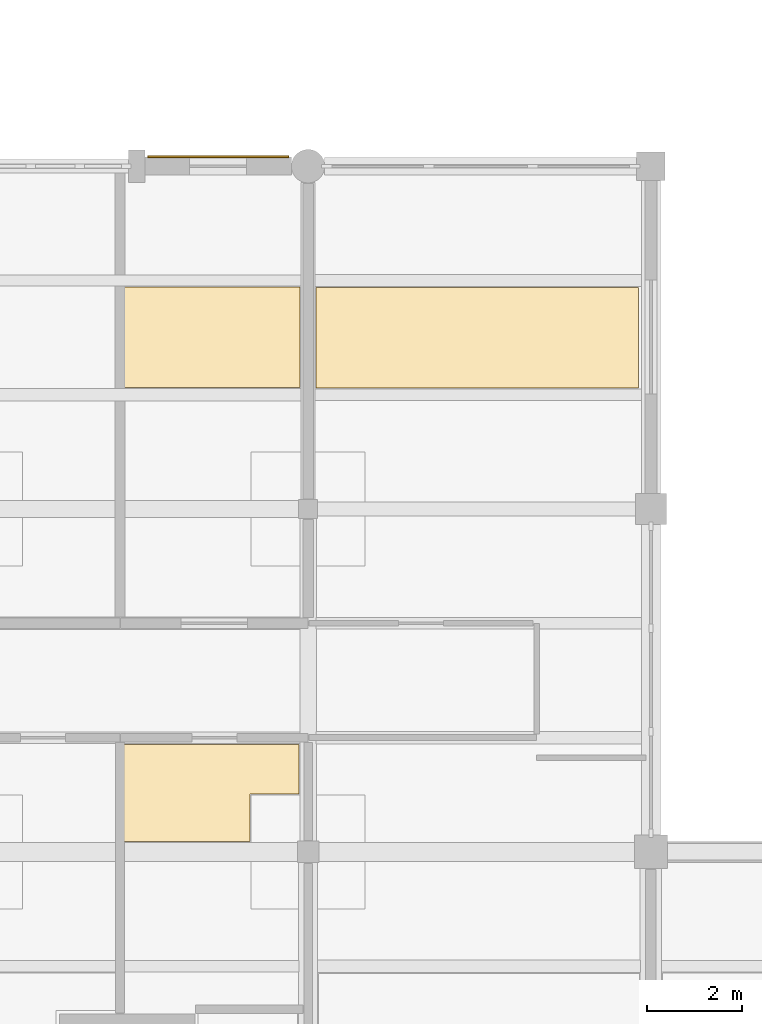
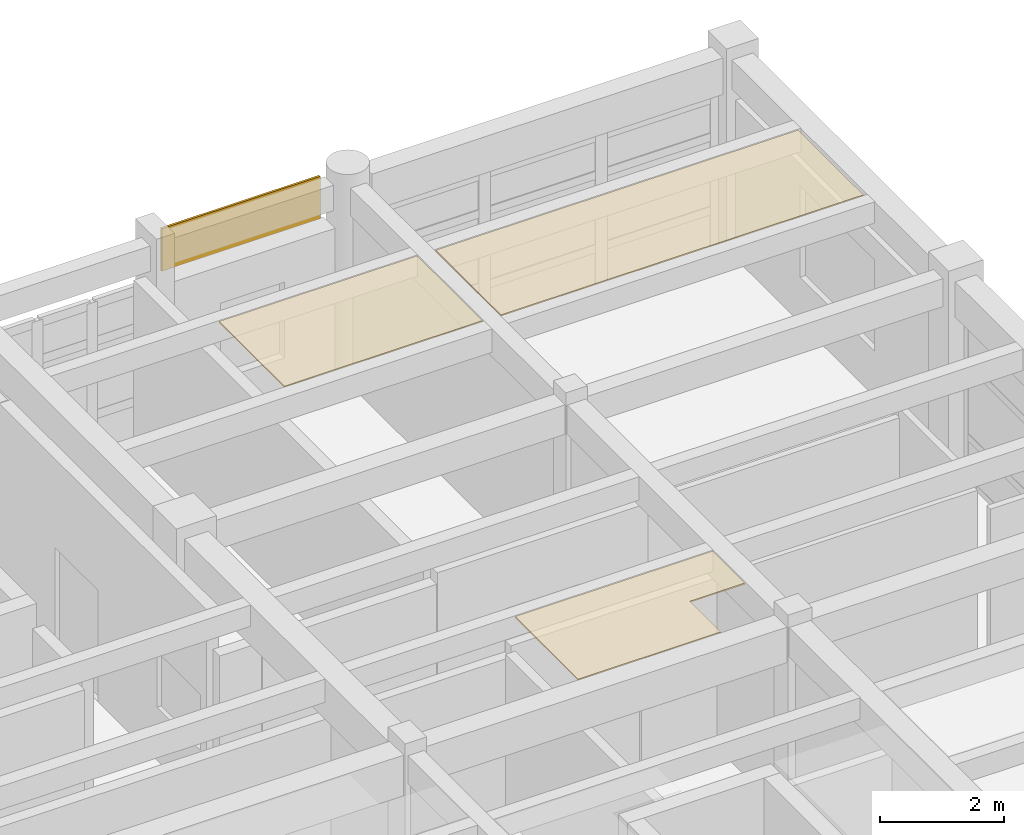
# One storey, part 110 of 110: 4 coverings.
"""IFC4 building model written with IfcOpenShell, lengths in metres."""

from ifc_helpers import new_model, si_unit, direction, frame, origin, origin_2d, place, context, subcontext, project, spatial, polyline, rectangle, outline, extrude, material, layer, layer_set, type_object, element, save


model = new_model("IFC4")

# Units and contexts
model_context = context("Model", 3, precision=1e-05, world=origin(), true_north=direction((0.0, 1.0)))
body_context = subcontext(model_context, "Body", "Model", "MODEL_VIEW")
ifc_project = project(units=[si_unit("LENGTHUNIT", "METRE"), si_unit("AREAUNIT", "SQUARE_METRE"), si_unit("VOLUMEUNIT", "CUBIC_METRE"), si_unit("PLANEANGLEUNIT", "RADIAN"), si_unit("MASSUNIT", "GRAM", prefix="KILO")], contexts=[model_context])

# Site, building, storey
site_placement = place(None, origin())
site = spatial("IfcSite", under=ifc_project, at=site_placement, CompositionType="ELEMENT")
building_placement = place(site_placement, origin())
building = spatial("IfcBuilding", under=site, at=building_placement, Name="Steenspoor Specialist Clinic", CompositionType="ELEMENT")
storey_placement = place(building_placement, frame((0.0, 0.0, 4.800048828125)))
storey = spatial("IfcBuildingStorey", under=building, at=storey_placement, Name="L01", CompositionType="ELEMENT", Elevation=4.800048828125)

# Coverings
ifc_material_1 = material(Name="Washable acoustic mineral ceiling board", Category="gypsum")
ifc_layer_1 = layer(ifc_material_1, 0.02490234375)
ifc_layer_set_1 = layer_set([ifc_layer_1], Name="Washable acoustic mineral ceiling board")
covering_type_1 = type_object("IfcCoveringType", Name="COV-CEIL-ACOUSTIC", PredefinedType="CEILING", material=ifc_layer_set_1)
covering_1_placement = place(storey_placement, frame((0.0, 0.0, 3.925048828125)))
element("IfcCovering", 1, at=covering_1_placement, inside=storey, type_object=covering_type_1, Name="Acoustic Clinical Ceiling 133", PredefinedType="CEILING", context=body_context, shape_type="SweptSolid", body=[
    extrude(outline(polyline([(135.715087890625, 96.2099609375), (139.405029296875, 96.2099609375), (139.405029296875, 95.169921875), (138.3798828125, 95.169921875), (138.3798828125, 94.169921875), (135.715087890625, 94.169921875), (135.715087890625, 96.2099609375)])), origin(), (0.0, 0.0, 1.0), 0.02490234375),
])
covering_2_placement = place(storey_placement, frame((0.0, 0.0, 3.925048828125)))
element("IfcCovering", 2, at=covering_2_placement, inside=storey, type_object=covering_type_1, Name="Acoustic Clinical Ceiling 134", PredefinedType="CEILING", context=body_context, shape_type="SweptSolid", body=[
    extrude(outline(polyline([(146.5400390625, 103.68994140625), (139.77001953125, 103.68994140625), (139.77001953125, 105.800048828125), (146.5400390625, 105.800048828125), (146.5400390625, 103.68994140625)])), origin(), (0.0, 0.0, 1.0), 0.02490234375),
])
covering_3_placement = place(storey_placement, frame((0.0, 0.0, 3.925048828125)))
element("IfcCovering", 3, at=covering_3_placement, inside=storey, type_object=covering_type_1, Name="Acoustic Clinical Ceiling 135", PredefinedType="CEILING", context=body_context, shape_type="SweptSolid", body=[
    extrude(outline(polyline([(135.72998046875, 105.81005859375), (139.429931640625, 105.81005859375), (139.429931640625, 103.699951171875), (135.72998046875, 103.699951171875), (135.72998046875, 105.81005859375)])), origin(), (0.0, 0.0, 1.0), 0.02490234375),
])
ifc_material_2 = material(Name="Glazed ceramic relief spandrel cladding", Category="masonry")
ifc_layer_2 = layer(ifc_material_2, 0.034912109375)
ifc_layer_set_2 = layer_set([ifc_layer_2], Name="Glazed ceramic relief spandrel cladding")
covering_type_2 = type_object("IfcCoveringType", Name="COV-CLAD-CERAMIC", PredefinedType="CLADDING", material=ifc_layer_set_2)
covering_4_placement = place(storey_placement, frame((137.7099609375, 108.550048828125, 3.11474609375), z_axis=(0.0, 0.0, 1.0), x_axis=(1.0, 0.0, 0.0)))
element("IfcCovering", 4, at=covering_4_placement, inside=storey, type_object=covering_type_2, Name="Spandrel Cladding 87", PredefinedType="CLADDING", context=body_context, shape_type="SweptSolid", body=[
    extrude(rectangle(XDim=2.9599609375, YDim=0.0400390625, at=origin_2d()), origin(), (0.0, 0.0, 1.0), 0.840087890625),
])

save(model, "model.ifc")
